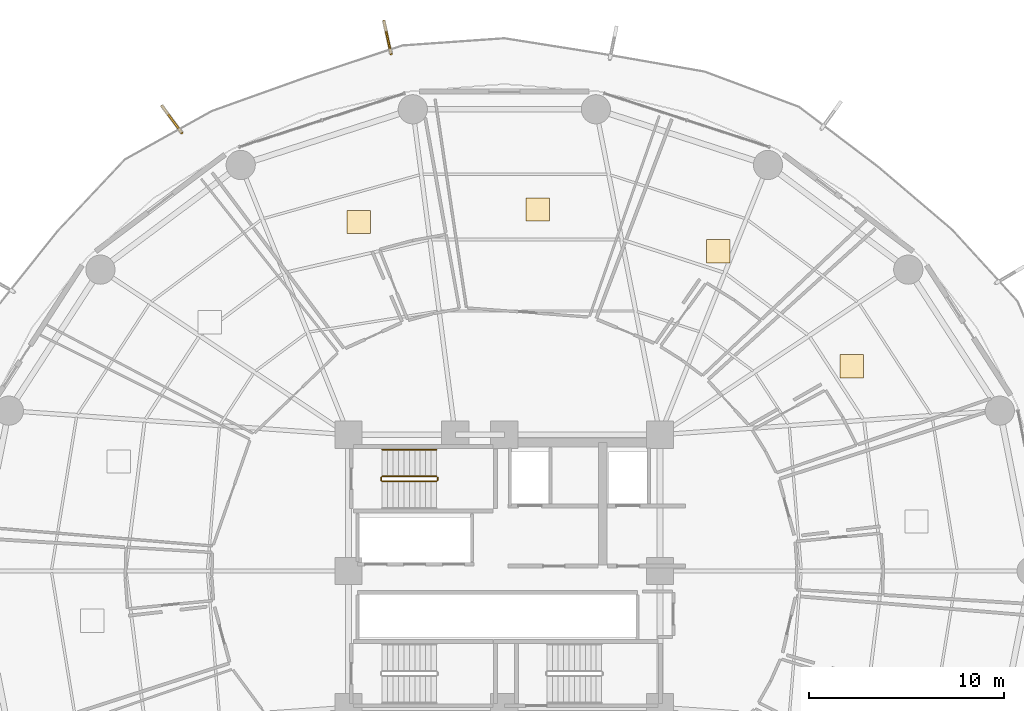
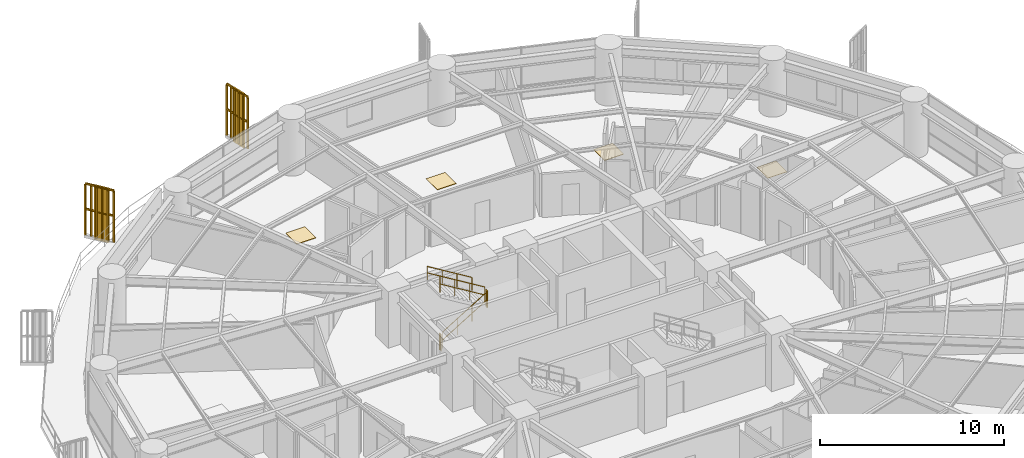
# One storey, part 31 of 32: 7 railings, 4 coverings, 2 shading devices.
"""IFC4 building model written with IfcOpenShell, lengths in metres."""

from ifc_helpers import new_model, si_unit, direction, frame, origin, origin_2d, place, context, subcontext, project, spatial, polyline, rectangle, outline, extrude, source, transform, mapped, material, layer, layer_set, type_object, element, save


model = new_model("IFC4")

# Units and contexts
model_context = context("Model", 3, precision=1e-05, world=origin(), true_north=direction((0.0, 1.0)))
body_context = subcontext(model_context, "Body", "Model", "MODEL_VIEW")
ifc_project = project(units=[si_unit("LENGTHUNIT", "METRE"), si_unit("AREAUNIT", "SQUARE_METRE"), si_unit("VOLUMEUNIT", "CUBIC_METRE"), si_unit("PLANEANGLEUNIT", "RADIAN"), si_unit("MASSUNIT", "GRAM", prefix="KILO")], contexts=[model_context])

# Site, building, storey
site_placement = place(None, origin())
site = spatial("IfcSite", under=ifc_project, at=site_placement, CompositionType="ELEMENT")
building_placement = place(site_placement, origin())
building = spatial("IfcBuilding", under=site, at=building_placement, Name="Kelanora Arch Commons", CompositionType="ELEMENT")
storey_placement = place(building_placement, frame((0.0, 0.0, 56.25)))
storey = spatial("IfcBuildingStorey", under=building, at=storey_placement, Name="L14", CompositionType="ELEMENT", Elevation=56.25)

# Railings
ifc_material_1 = material(Name="Anodised bronze vertical shading fin rib assembly")
railing_type_1 = type_object("IfcRailingType", Name="RAIL-FIN-BRZ", PredefinedType="BALUSTRADE", material=ifc_material_1)
railing_1_placement = place(storey_placement, frame((68.17919921875, 84.56884765625, -0.02001953125)))
element("IfcRailing", 1, at=railing_1_placement, inside=storey, type_object=railing_type_1, Name="Sweeping Bronze Vertical Fin Blade L14-03", PredefinedType="BALUSTRADE", context=body_context, shape_type="SweptSolid", body=[
    extrude(outline(polyline([(0.06982421875, 0.0), (0.034912109375, 0.060546875), (-0.034912109375, 0.060546875), (-0.06982421875, 0.0), (-0.034912109375, -0.060546875), (0.034912109375, -0.060546875), (0.06982421875, 0.0)])), frame((0.0, 0.0, 3.419921875), z_axis=(-0.213920572697, 0.97685105752, 0.0), x_axis=(-0.97685105752, -0.213920572697, 0.0)), (0.0, 0.0, 1.0), 1.6923828125),
    extrude(outline(polyline([(0.06982421875, 0.0), (0.034912109375, 0.060546875), (-0.034912109375, 0.060546875), (-0.06982421875, 0.0), (-0.034912109375, -0.060546875), (0.034912109375, -0.060546875), (0.06982421875, 0.0)])), frame((0.0, 0.0, 1.7451171875), z_axis=(-0.213920572697, 0.97685105752, 0.0), x_axis=(-0.97685105752, -0.213920572697, 0.0)), (0.0, 0.0, 1.0), 1.6923828125),
    extrude(outline(polyline([(0.080078125, 0.0), (0.0400390625, 0.0693359375), (-0.0400390625, 0.0693359375), (-0.080078125, 0.0), (-0.0400390625, -0.0693359375), (0.0400390625, -0.0693359375), (0.080078125, 0.0)])), origin(), (0.0, 0.0, 1.0), 3.35009765625),
    extrude(outline(polyline([(0.080078125, 0.0), (0.0400390625, 0.0693359375), (-0.0400390625, 0.0693359375), (-0.080078125, 0.0), (-0.0400390625, -0.0693359375), (0.0400390625, -0.0693359375), (0.080078125, 0.0)])), frame((-0.072509765625, 0.33056640625, 0.0)), (0.0, 0.0, 1.0), 3.35009765625),
    extrude(outline(polyline([(0.080078125, 0.0), (0.0400390625, 0.0693359375), (-0.0400390625, 0.0693359375), (-0.080078125, 0.0), (-0.0400390625, -0.0693359375), (0.0400390625, -0.0693359375), (0.080078125, 0.0)])), frame((-0.144775390625, 0.661376953125, 0.0)), (0.0, 0.0, 1.0), 3.35009765625),
    extrude(outline(polyline([(0.080078125, 0.0), (0.0400390625, 0.0693359375), (-0.0400390625, 0.0693359375), (-0.080078125, 0.0), (-0.0400390625, -0.0693359375), (0.0400390625, -0.0693359375), (0.080078125, 0.0)])), frame((-0.21728515625, 0.991943359375, 0.0)), (0.0, 0.0, 1.0), 3.35009765625),
    extrude(outline(polyline([(0.080078125, 0.0), (0.0400390625, 0.0693359375), (-0.0400390625, 0.0693359375), (-0.080078125, 0.0), (-0.0400390625, -0.0693359375), (0.0400390625, -0.0693359375), (0.080078125, 0.0)])), frame((-0.28955078125, 1.32275390625, 0.0)), (0.0, 0.0, 1.0), 3.35009765625),
    extrude(outline(polyline([(0.080078125, 0.0), (0.0400390625, 0.0693359375), (-0.0400390625, 0.0693359375), (-0.080078125, 0.0), (-0.0400390625, -0.0693359375), (0.0400390625, -0.0693359375), (0.080078125, 0.0)])), frame((-0.362060546875, 1.6533203125, 0.0)), (0.0, 0.0, 1.0), 3.35009765625),
])
railing_2_placement = place(storey_placement, frame((57.42822265625, 80.5126953125, -0.02001953125)))
element("IfcRailing", 2, at=railing_2_placement, inside=storey, type_object=railing_type_1, Name="Sweeping Bronze Vertical Fin Blade L14-04", PredefinedType="BALUSTRADE", context=body_context, shape_type="SweptSolid", body=[
    extrude(outline(polyline([(0.06982421875, 0.0), (0.034912109375, 0.060546875), (-0.034912109375, 0.060546875), (-0.06982421875, 0.0), (-0.034912109375, -0.060546875), (0.034912109375, -0.060546875), (0.06982421875, 0.0)])), frame((0.0, 0.0, 3.419921875), z_axis=(-0.592844714159, 0.805316797847, 0.0), x_axis=(-0.805316797847, -0.592844714159, 0.0)), (0.0, 0.0, 1.0), 1.692626953125),
    extrude(outline(polyline([(0.06982421875, 0.0), (0.034912109375, 0.060546875), (-0.034912109375, 0.060546875), (-0.06982421875, 0.0), (-0.034912109375, -0.060546875), (0.034912109375, -0.060546875), (0.06982421875, 0.0)])), frame((0.0, 0.0, 1.7451171875), z_axis=(-0.592844714159, 0.805316797847, 0.0), x_axis=(-0.805316797847, -0.592844714159, 0.0)), (0.0, 0.0, 1.0), 1.692626953125),
    extrude(outline(polyline([(0.080078125, 0.0), (0.0400390625, 0.0693359375), (-0.0400390625, 0.0693359375), (-0.080078125, 0.0), (-0.0400390625, -0.0693359375), (0.0400390625, -0.0693359375), (0.080078125, 0.0)])), origin(), (0.0, 0.0, 1.0), 3.35009765625),
    extrude(outline(polyline([(0.080078125, 0.0), (0.0400390625, 0.0693359375), (-0.0400390625, 0.0693359375), (-0.080078125, 0.0), (-0.0400390625, -0.0693359375), (0.0400390625, -0.0693359375), (0.080078125, 0.0)])), frame((-0.20068359375, 0.272705078125, 0.0)), (0.0, 0.0, 1.0), 3.35009765625),
    extrude(outline(polyline([(0.080078125, 0.0), (0.0400390625, 0.0693359375), (-0.0400390625, 0.0693359375), (-0.080078125, 0.0), (-0.0400390625, -0.0693359375), (0.0400390625, -0.0693359375), (0.080078125, 0.0)])), frame((-0.4013671875, 0.545166015625, 0.0)), (0.0, 0.0, 1.0), 3.35009765625),
    extrude(outline(polyline([(0.080078125, 0.0), (0.0400390625, 0.0693359375), (-0.0400390625, 0.0693359375), (-0.080078125, 0.0), (-0.0400390625, -0.0693359375), (0.0400390625, -0.0693359375), (0.080078125, 0.0)])), frame((-0.60205078125, 0.81787109375, 0.0)), (0.0, 0.0, 1.0), 3.35009765625),
    extrude(outline(polyline([(0.080078125, 0.0), (0.0400390625, 0.0693359375), (-0.0400390625, 0.0693359375), (-0.080078125, 0.0), (-0.0400390625, -0.0693359375), (0.0400390625, -0.0693359375), (0.080078125, 0.0)])), frame((-0.802734375, 1.09033203125, 0.0)), (0.0, 0.0, 1.0), 3.35009765625),
    extrude(outline(polyline([(0.080078125, 0.0), (0.0400390625, 0.0693359375), (-0.0400390625, 0.0693359375), (-0.080078125, 0.0), (-0.0400390625, -0.0693359375), (0.0400390625, -0.0693359375), (0.080078125, 0.0)])), frame((-1.00341796875, 1.363037109375, 0.0)), (0.0, 0.0, 1.0), 3.35009765625),
])
ifc_material_2 = material(Name="Painted steel stair well guard", Category="steel")
railing_type_2 = type_object("IfcRailingType", Name="RAIL-STAIR-GRD", PredefinedType="GUARDRAIL", material=ifc_material_2)
railing_3_placement = place(storey_placement, frame((67.719970703125, 62.610107421875, 0.17041015625)))
element("IfcRailing", 3, at=railing_3_placement, inside=storey, type_object=railing_type_2, Name="L14 ST-T1 stair guard 1", PredefinedType="GUARDRAIL", context=body_context, shape_type="SweptSolid", body=[
    extrude(outline(polyline([(0.02392578125, 0.0), (0.011962890625, 0.020751953125), (-0.011962890625, 0.020751953125), (-0.02392578125, 0.0), (-0.011962890625, -0.020751953125), (0.011962890625, -0.020751953125), (0.02392578125, 0.0)])), frame((0.0, 0.0, 1.076171875), z_axis=(0.854169791009, 0.0, 0.51999420009), x_axis=(0.0, 1.0, 0.0)), (0.0, 0.0, 1.0), 3.278076171875),
    extrude(outline(polyline([(0.02392578125, 0.0), (0.011962890625, 0.020751953125), (-0.011962890625, 0.020751953125), (-0.02392578125, 0.0), (-0.011962890625, -0.020751953125), (0.011962890625, -0.020751953125), (0.02392578125, 0.0)])), frame((0.0, 0.0, 0.550048828125), z_axis=(0.854169791009, 0.0, 0.51999420009), x_axis=(0.0, 1.0, 0.0)), (0.0, 0.0, 1.0), 3.278076171875),
    extrude(outline(polyline([(0.02099609375, 0.0), (0.010498046875, 0.01806640625), (-0.010498046875, 0.01806640625), (-0.02099609375, 0.0), (-0.010498046875, -0.01806640625), (0.010498046875, -0.01806640625), (0.02099609375, 0.0)])), origin(), (0.0, 0.0, 1.0), 1.052001953125),
    extrude(outline(polyline([(0.02099609375, 0.0), (0.010498046875, 0.01806640625), (-0.010498046875, 0.01806640625), (-0.02099609375, 0.0), (-0.010498046875, -0.01806640625), (0.010498046875, -0.01806640625), (0.02099609375, 0.0)])), frame((0.933349609375, 0.0, 0.568115234375)), (0.0, 0.0, 1.0), 1.052001953125),
    extrude(outline(polyline([(0.02099609375, 0.0), (0.010498046875, 0.01806640625), (-0.010498046875, 0.01806640625), (-0.02099609375, 0.0), (-0.010498046875, -0.01806640625), (0.010498046875, -0.01806640625), (0.02099609375, 0.0)])), frame((1.86669921875, 0.0, 1.136474609375)), (0.0, 0.0, 1.0), 1.052001953125),
    extrude(outline(polyline([(0.02099609375, 0.0), (0.010498046875, 0.01806640625), (-0.010498046875, 0.01806640625), (-0.02099609375, 0.0), (-0.010498046875, -0.01806640625), (0.010498046875, -0.01806640625), (0.02099609375, 0.0)])), frame((2.800048828125, 0.0, 1.70458984375)), (0.0, 0.0, 1.0), 1.052001953125),
])
railing_4_placement = place(storey_placement, frame((70.570068359375, 62.659912109375, 1.875)))
element("IfcRailing", 4, at=railing_4_placement, inside=storey, type_object=railing_type_2, Name="L14 ST-T1 stair guard 2", PredefinedType="GUARDRAIL", context=body_context, shape_type="SweptSolid", body=[
    extrude(outline(polyline([(0.02392578125, 0.0), (0.011962890625, 0.020751953125), (-0.011962890625, 0.020751953125), (-0.02392578125, 0.0), (-0.011962890625, -0.020751953125), (0.011962890625, -0.020751953125), (0.02392578125, 0.0)])), frame((0.0, 0.0, 1.076171875), z_axis=(0.0, 1.0, 0.0), x_axis=(-1.0, 0.0, 0.0)), (0.0, 0.0, 1.0), 0.150146484375),
    extrude(outline(polyline([(0.02392578125, 0.0), (0.011962890625, 0.020751953125), (-0.011962890625, 0.020751953125), (-0.02392578125, 0.0), (-0.011962890625, -0.020751953125), (0.011962890625, -0.020751953125), (0.02392578125, 0.0)])), frame((0.0, 0.0, 0.550048828125), z_axis=(0.0, 1.0, 0.0), x_axis=(-1.0, 0.0, 0.0)), (0.0, 0.0, 1.0), 0.150146484375),
    extrude(outline(polyline([(0.02099609375, 0.0), (0.010498046875, 0.01806640625), (-0.010498046875, 0.01806640625), (-0.02099609375, 0.0), (-0.010498046875, -0.01806640625), (0.010498046875, -0.01806640625), (0.02099609375, 0.0)])), origin(), (0.0, 0.0, 1.0), 1.052001953125),
    extrude(outline(polyline([(0.02099609375, 0.0), (0.010498046875, 0.01806640625), (-0.010498046875, 0.01806640625), (-0.02099609375, 0.0), (-0.010498046875, -0.01806640625), (0.010498046875, -0.01806640625), (0.02099609375, 0.0)])), frame((0.0, 0.150146484375, 0.0)), (0.0, 0.0, 1.0), 1.052001953125),
])
railing_5_placement = place(storey_placement, frame((70.52001953125, 62.860107421875, 2.04541015625)))
element("IfcRailing", 5, at=railing_5_placement, inside=storey, type_object=railing_type_2, Name="L14 ST-T1 stair guard 3", PredefinedType="GUARDRAIL", context=body_context, shape_type="SweptSolid", body=[
    extrude(outline(polyline([(0.02392578125, 0.0), (0.011962890625, 0.020751953125), (-0.011962890625, 0.020751953125), (-0.02392578125, 0.0), (-0.011962890625, -0.020751953125), (0.011962890625, -0.020751953125), (0.02392578125, 0.0)])), frame((0.0, 0.0, 1.076171875), z_axis=(-0.854169791009, 0.0, 0.51999420009), x_axis=(0.0, -1.0, 0.0)), (0.0, 0.0, 1.0), 3.278076171875),
    extrude(outline(polyline([(0.02392578125, 0.0), (0.011962890625, 0.020751953125), (-0.011962890625, 0.020751953125), (-0.02392578125, 0.0), (-0.011962890625, -0.020751953125), (0.011962890625, -0.020751953125), (0.02392578125, 0.0)])), frame((0.0, 0.0, 0.550048828125), z_axis=(-0.854169791009, 0.0, 0.51999420009), x_axis=(0.0, -1.0, 0.0)), (0.0, 0.0, 1.0), 3.278076171875),
    extrude(outline(polyline([(0.02099609375, 0.0), (0.010498046875, 0.01806640625), (-0.010498046875, 0.01806640625), (-0.02099609375, 0.0), (-0.010498046875, -0.01806640625), (0.010498046875, -0.01806640625), (0.02099609375, 0.0)])), origin(), (0.0, 0.0, 1.0), 1.052001953125),
    extrude(outline(polyline([(0.02099609375, 0.0), (0.010498046875, 0.01806640625), (-0.010498046875, 0.01806640625), (-0.02099609375, 0.0), (-0.010498046875, -0.01806640625), (0.010498046875, -0.01806640625), (0.02099609375, 0.0)])), frame((-0.933349609375, 0.0, 0.568115234375)), (0.0, 0.0, 1.0), 1.052001953125),
    extrude(outline(polyline([(0.02099609375, 0.0), (0.010498046875, 0.01806640625), (-0.010498046875, 0.01806640625), (-0.02099609375, 0.0), (-0.010498046875, -0.01806640625), (0.010498046875, -0.01806640625), (0.02099609375, 0.0)])), frame((-1.86669921875, 0.0, 1.136474609375)), (0.0, 0.0, 1.0), 1.052001953125),
    extrude(outline(polyline([(0.02099609375, 0.0), (0.010498046875, 0.01806640625), (-0.010498046875, 0.01806640625), (-0.02099609375, 0.0), (-0.010498046875, -0.01806640625), (0.010498046875, -0.01806640625), (0.02099609375, 0.0)])), frame((-2.800048828125, 0.0, 1.70458984375)), (0.0, 0.0, 1.0), 1.052001953125),
])
railing_6_placement = place(storey_placement, frame((67.669921875, 62.659912109375, 0.0)))
element("IfcRailing", 6, at=railing_6_placement, inside=storey, type_object=railing_type_2, Name="L14 ST-T1 stair guard 4", PredefinedType="GUARDRAIL", context=body_context, shape_type="SweptSolid", body=[
    extrude(outline(polyline([(0.02392578125, 0.0), (0.011962890625, 0.020751953125), (-0.011962890625, 0.020751953125), (-0.02392578125, 0.0), (-0.011962890625, -0.020751953125), (0.011962890625, -0.020751953125), (0.02392578125, 0.0)])), frame((0.0, 0.0, 1.076171875), z_axis=(0.0, 1.0, 0.0), x_axis=(-1.0, 0.0, 0.0)), (0.0, 0.0, 1.0), 0.150146484375),
    extrude(outline(polyline([(0.02392578125, 0.0), (0.011962890625, 0.020751953125), (-0.011962890625, 0.020751953125), (-0.02392578125, 0.0), (-0.011962890625, -0.020751953125), (0.011962890625, -0.020751953125), (0.02392578125, 0.0)])), frame((0.0, 0.0, 0.550048828125), z_axis=(0.0, 1.0, 0.0), x_axis=(-1.0, 0.0, 0.0)), (0.0, 0.0, 1.0), 0.150146484375),
    extrude(outline(polyline([(0.02099609375, 0.0), (0.010498046875, 0.01806640625), (-0.010498046875, 0.01806640625), (-0.02099609375, 0.0), (-0.010498046875, -0.01806640625), (0.010498046875, -0.01806640625), (0.02099609375, 0.0)])), origin(), (0.0, 0.0, 1.0), 1.052001953125),
    extrude(outline(polyline([(0.02099609375, 0.0), (0.010498046875, 0.01806640625), (-0.010498046875, 0.01806640625), (-0.02099609375, 0.0), (-0.010498046875, -0.01806640625), (0.010498046875, -0.01806640625), (0.02099609375, 0.0)])), frame((0.0, 0.150146484375, 0.0)), (0.0, 0.0, 1.0), 1.052001953125),
])
ifc_material_3 = material(Name="Brushed stainless steel stair handrail", Category="steel")
railing_type_3 = type_object("IfcRailingType", Name="RAIL-STAIR-HND", PredefinedType="HANDRAIL", material=ifc_material_3)
railing_7_placement = place(storey_placement, frame((70.52001953125, 64.239990234375, 2.04541015625)))
element("IfcRailing", 7, at=railing_7_placement, inside=storey, type_object=railing_type_3, Name="L14 ST-T1 stair handrail 2", PredefinedType="HANDRAIL", context=body_context, shape_type="SweptSolid", body=[
    extrude(outline(polyline([(0.02392578125, 0.0), (0.011962890625, 0.020751953125), (-0.011962890625, 0.020751953125), (-0.02392578125, 0.0), (-0.011962890625, -0.020751953125), (0.011962890625, -0.020751953125), (0.02392578125, 0.0)])), frame((0.0, 0.0, 0.8759765625), z_axis=(-0.854169791009, 0.0, 0.51999420009), x_axis=(0.0, -1.0, 0.0)), (0.0, 0.0, 1.0), 3.278076171875),
    extrude(outline(polyline([(0.02392578125, 0.0), (0.011962890625, 0.020751953125), (-0.011962890625, 0.020751953125), (-0.02392578125, 0.0), (-0.011962890625, -0.020751953125), (0.011962890625, -0.020751953125), (0.02392578125, 0.0)])), frame((0.0, 0.0, 0.449951171875), z_axis=(-0.854169791009, 0.0, 0.51999420009), x_axis=(0.0, -1.0, 0.0)), (0.0, 0.0, 1.0), 3.278076171875),
    extrude(outline(polyline([(0.02099609375, 0.0), (0.010498046875, 0.01806640625), (-0.010498046875, 0.01806640625), (-0.02099609375, 0.0), (-0.010498046875, -0.01806640625), (0.010498046875, -0.01806640625), (0.02099609375, 0.0)])), origin(), (0.0, 0.0, 1.0), 0.851806640625),
    extrude(outline(polyline([(0.02099609375, 0.0), (0.010498046875, 0.01806640625), (-0.010498046875, 0.01806640625), (-0.02099609375, 0.0), (-0.010498046875, -0.01806640625), (0.010498046875, -0.01806640625), (0.02099609375, 0.0)])), frame((-0.933349609375, 0.0, 0.568115234375)), (0.0, 0.0, 1.0), 0.851806640625),
    extrude(outline(polyline([(0.02099609375, 0.0), (0.010498046875, 0.01806640625), (-0.010498046875, 0.01806640625), (-0.02099609375, 0.0), (-0.010498046875, -0.01806640625), (0.010498046875, -0.01806640625), (0.02099609375, 0.0)])), frame((-1.86669921875, 0.0, 1.136474609375)), (0.0, 0.0, 1.0), 0.851806640625),
    extrude(outline(polyline([(0.02099609375, 0.0), (0.010498046875, 0.01806640625), (-0.010498046875, 0.01806640625), (-0.02099609375, 0.0), (-0.010498046875, -0.01806640625), (0.010498046875, -0.01806640625), (0.02099609375, 0.0)])), frame((-2.800048828125, 0.0, 1.70458984375)), (0.0, 0.0, 1.0), 0.851806640625),
])

# Shading devices
ifc_material_4 = material(Name="Terracotta ceramic-clad extruded aluminium fin", Category="masonry")
shading_device_type = type_object("IfcShadingDeviceType", Name="SHD-FIN-FLARE", PredefinedType="USERDEFINED", material=ifc_material_4)
shared_shape_1 = source(origin(), body_context, "Body", "SweptSolid", [
    extrude(rectangle(XDim=0.8798828125, YDim=0.090087890625, at=origin_2d()), origin(), (0.0, 0.0, 1.0), 3.610107421875),
])
for number, where, z_axis, x_axis, name in (
    (8, (68.025390625, 85.272216796875, -0.14013671875), (0.0, 0.0, 1.0), (-0.214053429014, 0.976821953852, 0.0), "Sweeping Terracotta Fin L14-03"),
    (9, (57.00146484375, 81.0927734375, -0.14013671875), (0.0, 0.0, 1.0), (-0.592856820161, 0.805307885711, 0.0), "Sweeping Terracotta Fin L14-04"),
):
    element("IfcShadingDevice", number, at=place(storey_placement, frame(where, z_axis=z_axis, x_axis=x_axis)), inside=storey, type_object=shading_device_type, Name=name, ObjectType="FIN", PredefinedType="USERDEFINED", context=body_context, shape_type="MappedRepresentation", body=[
        mapped(shared_shape_1, transform((0.0, 0.0, 0.0), scale=1.0)),
    ])

# Coverings
ifc_material_5 = material(Name="Polished local granite terrazzo flooring", Category="masonry")
ifc_layer = layer(ifc_material_5, 0.030029296875)
ifc_layer_set = layer_set([ifc_layer], Name="Polished local granite terrazzo flooring")
covering_type = type_object("IfcCoveringType", Name="COV-FLR-TER", PredefinedType="FLOORING", material=ifc_layer_set)
shared_shape_2 = source(origin(), body_context, "Body", "SweptSolid", [
    extrude(rectangle(XDim=1.199951171875, YDim=1.199951171875, at=origin_2d()), origin(), (0.0, 0.0, 1.0), 0.030029296875),
])
for number, where, z_axis, x_axis, name in (
    (10, (91.841796875, 68.52587890625, 0.0), (0.0, 0.0, 1.0), (1.0, 0.0, 0.0), "Co-Living Studio L14-01 Terrazzo Finish"),
    (11, (84.979248046875, 74.41943359375, 0.0), (0.0, 0.0, 1.0), (1.0, 0.0, 0.0), "Co-Living Studio L14-02 Terrazzo Finish"),
    (12, (75.70751953125, 76.564453125, 0.0), (0.0, 0.0, 1.0), (1.0, 0.0, 0.0), "Communal Dining and Social Hall L14-03 Terrazzo Finish"),
    (13, (66.5205078125, 75.927001953125, 0.0), (0.0, 0.0, 1.0), (1.0, 0.0, 0.0), "Co-Living Studio L14-04 Terrazzo Finish"),
):
    element("IfcCovering", number, at=place(storey_placement, frame(where, z_axis=z_axis, x_axis=x_axis)), inside=storey, type_object=covering_type, Name=name, PredefinedType="FLOORING", context=body_context, shape_type="MappedRepresentation", body=[
        mapped(shared_shape_2, transform((0.0, 0.0, 0.0), scale=1.0)),
    ])

save(model, "model.ifc")
